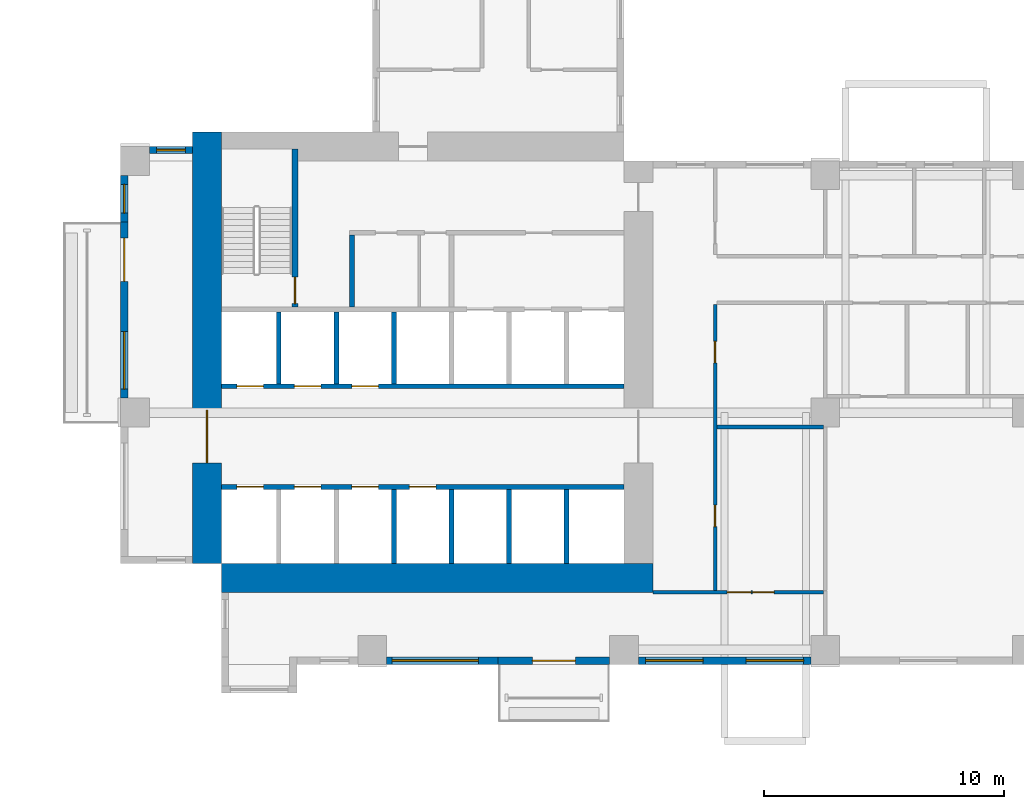
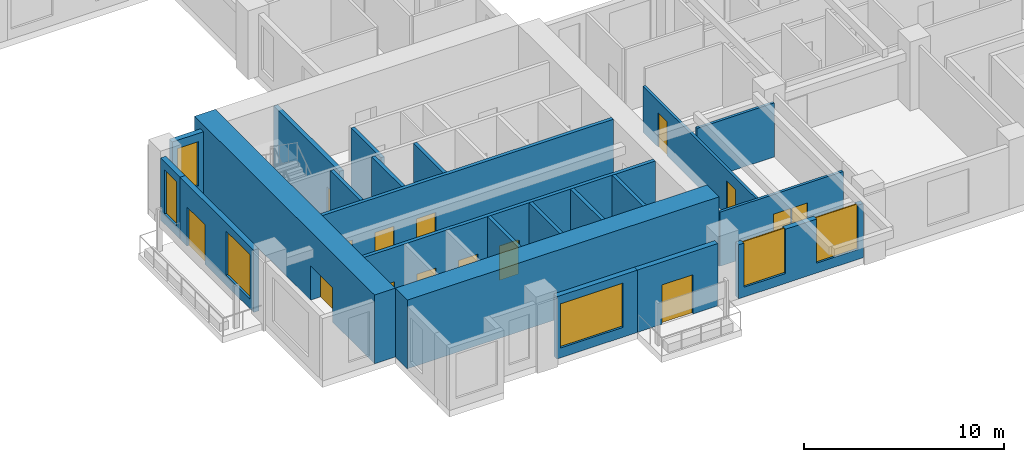
# One storey, part 2 of 15: 22 walls, 15 doors, 6 windows, 21 openings.
"""IFC4 building model written with IfcOpenShell, lengths in metres."""

import ifcopenshell
import ifcopenshell.guid

model = None  # the IFC model being written
_history = None  # IfcOwnerHistory: only IFC2X3 demands one
_inside = {}  # id of a spatial element -> (the spatial element, [elements in it])
_under = {}  # id of a project, library or spatial element -> (it, [spatial elements below it])
_declared = {}  # id of a project -> (the project, [libraries it declares])
_typed = {}  # id of a type object -> (the type object, [elements of that type])
_made_of = {}  # id of a material, layer set ... -> (it, [elements and type objects made of it])


def new_model(schema):
    """Start an empty IFC model of exactly this schema.

    Asked for "IFC4X3", IfcOpenShell would pick the latest addendum, in which some entities
    have other attributes; the version numbers below select the first issue.
    IFC2X3 requires an IfcOwnerHistory on every rooted entity: one is made here for all.
    """
    global model, _history
    if schema == "IFC4X3":
        model = ifcopenshell.file(schema_version=(4, 3, 0, 0))
    else:
        model = ifcopenshell.file(schema=schema)
    _inside.clear()
    _under.clear()
    _declared.clear()
    _typed.clear()
    _made_of.clear()
    _history = None
    if model.schema == "IFC2X3":
        org = make("IfcOrganization", Name="unknown")
        user = make(
            "IfcPersonAndOrganization",
            ThePerson=make("IfcPerson", FamilyName="unknown"),
            TheOrganization=org,
        )
        app = make(
            "IfcApplication",
            ApplicationDeveloper=org,
            Version="unknown",
            ApplicationFullName="unknown",
            ApplicationIdentifier="unknown",
        )
        _history = make(
            "IfcOwnerHistory",
            OwningUser=user,
            OwningApplication=app,
            ChangeAction="ADDED",
            CreationDate=0,
        )
    return model


def make(cls, **values):
    """One entity of the class cls with the attributes given. An attribute that is None is left unset."""
    return model.create_entity(
        cls, **{name: value for name, value in values.items() if value is not None}
    )


def rooted(cls, **values):
    """An entity with a GlobalId (a new one), such as an element, a storey or a relation."""
    return make(cls, GlobalId=ifcopenshell.guid.new(), OwnerHistory=_history, **values)


def si_unit(unit_type, name, prefix=None):
    """IfcSIUnit, for example si_unit("LENGTHUNIT", "METRE", prefix="MILLI")."""
    return make("IfcSIUnit", UnitType=unit_type, Prefix=prefix, Name=name)


def assignment(units):
    """IfcUnitAssignment: the units of a project."""
    return None if units is None else make("IfcUnitAssignment", Units=units)


def point(xyz):
    """IfcCartesianPoint."""
    return None if xyz is None else make("IfcCartesianPoint", Coordinates=xyz)


def direction(xyz):
    """IfcDirection."""
    return None if xyz is None else make("IfcDirection", DirectionRatios=xyz)


def frame(location, z_axis=None, x_axis=None):
    """IfcAxis2Placement3D, a coordinate frame: its origin and axes. An axis left out is left unset."""
    return make(
        "IfcAxis2Placement3D",
        Location=point(location),
        Axis=direction(z_axis),
        RefDirection=direction(x_axis),
    )


def frame_2d(location, x_axis=None):
    """IfcAxis2Placement2D, a coordinate frame in the plane: its origin and x axis."""
    return make(
        "IfcAxis2Placement2D", Location=point(location), RefDirection=direction(x_axis)
    )


def origin():
    """The frame at (0, 0, 0) with its axes left unset."""
    return frame((0.0, 0.0, 0.0))


def place(relative_to, where):
    """IfcLocalPlacement: puts the frame where relative to a parent placement (None: the world)."""
    return make(
        "IfcLocalPlacement", PlacementRelTo=relative_to, RelativePlacement=where
    )


def context(
    kind, dimensions, precision=None, world=None, true_north=None, identifier=None
):
    """IfcGeometricRepresentationContext, for example the 3D "Model" context."""
    return make(
        "IfcGeometricRepresentationContext",
        ContextIdentifier=identifier,
        ContextType=kind,
        CoordinateSpaceDimension=dimensions,
        Precision=precision,
        WorldCoordinateSystem=world,
        TrueNorth=true_north,
    )


def subcontext(parent, identifier, kind, view, scale=None):
    """IfcGeometricRepresentationSubContext, for example "Body" below "Model"."""
    return make(
        "IfcGeometricRepresentationSubContext",
        ContextIdentifier=identifier,
        ContextType=kind,
        ParentContext=parent,
        TargetScale=scale,
        TargetView=view,
    )


def project(units=None, contexts=None):
    """IfcProject with its units and contexts."""
    return rooted(
        "IfcProject",
        Name="project",
        RepresentationContexts=contexts,
        UnitsInContext=assignment(units),
    )


def spatial(cls, under=None, at=None, **own):
    """A site, building, storey or space (cls), placed at a placement, below another one or the project."""
    s = rooted(cls, ObjectPlacement=at, **own)
    if under is not None:
        _under.setdefault(under.id(), (under, []))[1].append(s)
    return s


def profile(cls, at=None, kind="AREA", **sizes):
    """A parametric profile (cls). Its sizes go by their IFC names, for example OverallWidth=200.0."""
    return make(cls, ProfileType=kind, Position=at, **sizes)


def rectangle(**sizes):
    """IfcRectangleProfileDef."""
    return profile("IfcRectangleProfileDef", **sizes)


def extrude(swept, where, along, depth):
    """IfcExtrudedAreaSolid: the profile swept, set in the frame where, extruded along a direction by depth."""
    return make(
        "IfcExtrudedAreaSolid",
        SweptArea=swept,
        Position=where,
        ExtrudedDirection=direction(along),
        Depth=depth,
    )


def shape(context_of_items, identifier, shape_type, items):
    """IfcShapeRepresentation: the items that make up one representation, for example the "Body"."""
    return make(
        "IfcShapeRepresentation",
        ContextOfItems=context_of_items,
        RepresentationIdentifier=identifier,
        RepresentationType=shape_type,
        Items=items,
    )


def source(mapping_origin, context_of_items, identifier, shape_type, items):
    """IfcRepresentationMap: a shape defined once, which mapped items show again and again."""
    return make(
        "IfcRepresentationMap",
        MappingOrigin=mapping_origin,
        MappedRepresentation=shape(context_of_items, identifier, shape_type, items),
    )


def transform(
    local_origin,
    x_axis=None,
    y_axis=None,
    z_axis=None,
    scale=None,
    scale2=None,
    scale3=None,
    uniform=True,
):
    """IfcCartesianTransformationOperator3D, or its non-uniform kind. x_axis, y_axis, z_axis: its Axis1, 2, 3."""
    if uniform:
        return make(
            "IfcCartesianTransformationOperator3D",
            Axis1=direction(x_axis),
            Axis2=direction(y_axis),
            LocalOrigin=point(local_origin),
            Scale=scale,
            Axis3=direction(z_axis),
        )
    return make(
        "IfcCartesianTransformationOperator3DnonUniform",
        Axis1=direction(x_axis),
        Axis2=direction(y_axis),
        LocalOrigin=point(local_origin),
        Scale=scale,
        Axis3=direction(z_axis),
        Scale2=scale2,
        Scale3=scale3,
    )


def mapped(mapping_source, mapping_target):
    """IfcMappedItem: shows the shape of a source again, moved by a transform."""
    return make(
        "IfcMappedItem", MappingSource=mapping_source, MappingTarget=mapping_target
    )


def material(Name=None, Category=None):
    """IfcMaterial."""
    return make("IfcMaterial", Name=Name, Category=Category)


def layer(
    of_material, thickness, ventilated=None, Name=None, Category=None, Priority=None
):
    """IfcMaterialLayer: one layer of a wall or slab, of a material (None: an air gap)."""
    return make(
        "IfcMaterialLayer",
        Material=of_material,
        LayerThickness=thickness,
        IsVentilated=ventilated,
        Name=Name,
        Category=Category,
        Priority=Priority,
    )


def layer_set(layers, Name=None):
    """IfcMaterialLayerSet."""
    return make("IfcMaterialLayerSet", MaterialLayers=layers, LayerSetName=Name)


def made_of(thing, what):
    """Note that an element or type object is made of a material, layer set ...; save() writes the relation."""
    if what is not None:
        _made_of.setdefault(what.id(), (what, []))[1].append(thing)
    return thing


def type_object(cls, material=None, **own):
    """A type object (cls), such as IfcWallType, which elements share."""
    return made_of(rooted(cls, **own), material)


def element(
    cls,
    number,
    at=None,
    inside=None,
    cuts=None,
    type_object=None,
    material=None,
    context=None,
    identifier="Body",
    shape_type=None,
    held_by="IfcProductDefinitionShape",
    body=None,
    shapes=None,
    **own,
):
    """One element of the class cls, such as IfcWall. Its Tag is "e" and its number.

    at: its placement. inside: the storey or other place that contains it. cuts: it is an
    opening in that element (IfcRelVoidsElement). A single representation is given by context,
    identifier, shape_type and body (its items); several are given by shapes. held_by: the class
    of the entity that holds the representations. save() writes the other relations.
    """
    e = rooted(cls, Tag="e%d" % number, ObjectPlacement=at, **own)
    if body is not None:
        shapes = [shape(context, identifier, shape_type, body)]
    if shapes is not None:
        e.Representation = make(held_by, Representations=shapes)
    if inside is not None:
        _inside.setdefault(inside.id(), (inside, []))[1].append(e)
    if cuts is not None:
        rooted(
            "IfcRelVoidsElement", RelatingBuildingElement=cuts, RelatedOpeningElement=e
        )
    if type_object is not None:
        _typed.setdefault(type_object.id(), (type_object, []))[1].append(e)
    return made_of(e, material)


def fill(opening, filler):
    """IfcRelFillsElement: the door or window that sits in an opening."""
    return rooted(
        "IfcRelFillsElement",
        RelatingOpeningElement=opening,
        RelatedBuildingElement=filler,
    )


def aggregate(whole, parts):
    """IfcRelAggregates: a whole, such as a stair, and the parts it consists of."""
    return rooted("IfcRelAggregates", RelatingObject=whole, RelatedObjects=parts)


def save(model, path):
    """Write the relations noted so far, then the file.

    IfcRelAggregates (storeys below a building ...), IfcRelContainedInSpatialStructure (elements
    in a storey), IfcRelDefinesByType, IfcRelAssociatesMaterial and IfcRelDeclares: one each for
    every whole, place, type object, material and project.
    """
    for whole, parts in _under.values():
        aggregate(whole, parts)
    for where, things in _inside.values():
        rooted(
            "IfcRelContainedInSpatialStructure",
            RelatedElements=things,
            RelatingStructure=where,
        )
    for kind, things in _typed.values():
        rooted("IfcRelDefinesByType", RelatedObjects=things, RelatingType=kind)
    for what, things in _made_of.values():
        rooted("IfcRelAssociatesMaterial", RelatedObjects=things, RelatingMaterial=what)
    for by, libraries in _declared.values():
        rooted("IfcRelDeclares", RelatingContext=by, RelatedDefinitions=libraries)
    model.write(path)


model = new_model("IFC4")

# Units and contexts
model_context = context("Model", 3, precision=1e-05, world=origin(), true_north=direction((0.0, 1.0)))
body_context = subcontext(model_context, "Body", "Model", "MODEL_VIEW")
ifc_project = project(units=[si_unit("LENGTHUNIT", "METRE"), si_unit("AREAUNIT", "SQUARE_METRE"), si_unit("VOLUMEUNIT", "CUBIC_METRE"), si_unit("PLANEANGLEUNIT", "RADIAN"), si_unit("MASSUNIT", "GRAM", prefix="KILO")], contexts=[model_context])

# Site, building, storey
site_placement = place(None, origin())
site = spatial("IfcSite", under=ifc_project, at=site_placement, CompositionType="ELEMENT")
building_placement = place(site_placement, origin())
building = spatial("IfcBuilding", under=site, at=building_placement, Name="Aurelian Terraces", CompositionType="ELEMENT")
storey_placement = place(building_placement, frame((0.0, 0.0, 74.1)))
storey = spatial("IfcBuildingStorey", under=building, at=storey_placement, Name="L15", CompositionType="ELEMENT", Elevation=74.1)

# Wall
ifc_material_1 = material(Name="Gypsum board on steel studs", Category="steel")
ifc_layer_1 = layer(ifc_material_1, 0.15)
ifc_layer_set_1 = layer_set([ifc_layer_1], Name="Partition 150")
wall_type_1 = type_object("IfcWallType", Name="Partition 150", PredefinedType="PARTITIONING", material=ifc_layer_set_1)
wall_1_placement = place(storey_placement, frame((29.325, 9.9, 0.0), z_axis=(0.0, 0.0, 1.0), x_axis=(-1.0, 0.0, 0.0)))
element("IfcWall", 1, at=wall_1_placement, inside=storey, type_object=wall_type_1, Name="Partition", PredefinedType="PARTITIONING", context=body_context, shape_type="SweptSolid", body=[
    extrude(rectangle(XDim=4.45, YDim=0.15, at=frame_2d((2.225, 0.0))), origin(), (0.0, 0.0, 1.0), 3.3),
])

# Wall, opening, door
ifc_material_2 = material(Name="Concrete fc' 83 MPa", Category="concrete")
ifc_layer_2 = layer(ifc_material_2, 1.2)
ifc_layer_set_2 = layer_set([ifc_layer_2], Name="CORE WALL 1200 FC83")
wall_type_2 = type_object("IfcWallType", Name="CORE WALL 1200 FC83", PredefinedType="SHEAR", material=ifc_layer_set_2)
shared_shape_1 = source(origin(), body_context, "Body", "SweptSolid", [
    extrude(rectangle(XDim=18.0, YDim=1.2, at=frame_2d((9.0, 0.0))), origin(), (0.0, 0.0, 1.0), 4.2),
])
wall_2_placement = place(storey_placement, frame((3.6, 4.2, 0.0), z_axis=(0.0, 0.0, 1.0), x_axis=(0.0, 1.0, 0.0)))
wall_2 = element("IfcWall", 2, at=wall_2_placement, inside=storey, type_object=wall_type_2, Name="Core wall W L15", PredefinedType="SHEAR", context=body_context, shape_type="MappedRepresentation", body=[
    mapped(shared_shape_1, transform((0.0, 0.0, 0.0), scale=1.0)),
])
shared_shape_2 = source(origin(), body_context, "Body", "SweptSolid", [
    extrude(rectangle(XDim=2.2, YDim=2.1, at=frame_2d((1.1, 1.05))), frame((0.0, 0.61, 0.0), z_axis=(0.0, -1.0, 0.0), x_axis=(1.0, 0.0, 0.0)), (0.0, 0.0, 1.0), 1.22),
])
opening_1_placement = place(wall_2_placement, frame((4.2, 0.0, 0.0)))
opening_1 = element("IfcOpeningElement", 3, at=opening_1_placement, cuts=wall_2, Name="Opening 61821", PredefinedType="OPENING", context=body_context, shape_type="MappedRepresentation", body=[
    mapped(shared_shape_2, transform((0.0, 0.0, 0.0), scale=1.0)),
])
ifc_material_3 = material(Name="Steel door leaf", Category="steel")
door_type_1 = type_object("IfcDoorType", Name="Core double door 2200x2100", OperationType="DOUBLE_DOOR_SINGLE_SWING", PredefinedType="DOOR", material=ifc_material_3)
shared_shape_3 = source(origin(), body_context, "Body", "SweptSolid", [
    extrude(rectangle(XDim=2.2, YDim=2.1, at=frame_2d((1.1, 1.05))), frame((0.0, 0.025, 0.0), z_axis=(0.0, -1.0, 0.0), x_axis=(1.0, 0.0, 0.0)), (0.0, 0.0, 1.0), 0.05),
])
door_1_placement = place(opening_1_placement, origin())
door_1 = element("IfcDoor", 4, at=door_1_placement, inside=storey, type_object=door_type_1, Name="Core door 61821", OperationType="DOUBLE_DOOR_SINGLE_SWING", OverallHeight=2.1, OverallWidth=2.2, PredefinedType="DOOR", context=body_context, shape_type="MappedRepresentation", body=[
    mapped(shared_shape_3, transform((0.0, 0.0, 0.0), scale=1.0)),
])
fill(opening_1, door_1)

# Wall
wall_3_placement = place(storey_placement, frame((4.2, 3.6, 0.0), z_axis=(0.0, 0.0, 1.0), x_axis=(1.0, 0.0, 0.0)))
element("IfcWall", 5, at=wall_3_placement, inside=storey, type_object=wall_type_2, Name="Core wall S L15", PredefinedType="SHEAR", context=body_context, shape_type="MappedRepresentation", body=[
    mapped(shared_shape_1, transform((0.0, 0.0, 0.0), scale=1.0)),
])

# Wall, opening, window
ifc_material_4 = material(Name="Terracotta rainscreen cladding", Category="masonry")
ifc_layer_3 = layer(ifc_material_4, 0.3)
ifc_layer_set_3 = layer_set([ifc_layer_3], Name="EW-300")
wall_type_3 = type_object("IfcWallType", Name="EW-300", PredefinedType="STANDARD", material=ifc_layer_set_3)
shared_shape_4 = source(origin(), body_context, "Body", "SweptSolid", [
    extrude(rectangle(XDim=4.65, YDim=0.3, at=frame_2d((2.325, 0.0))), origin(), (0.0, 0.0, 1.0), 3.8),
])
wall_4_placement = place(storey_placement, frame((11.1, 0.15, 0.0), z_axis=(0.0, 0.0, 1.0), x_axis=(1.0, 0.0, 0.0)))
wall_4 = element("IfcWall", 6, at=wall_4_placement, inside=storey, type_object=wall_type_3, Name="External wall L15 F01.3", PredefinedType="STANDARD", context=body_context, shape_type="MappedRepresentation", body=[
    mapped(shared_shape_4, transform((0.0, 0.0, 0.0), scale=1.0)),
])
shared_shape_5 = source(origin(), body_context, "Body", "SweptSolid", [
    extrude(rectangle(XDim=3.6, YDim=2.7, at=frame_2d((1.8, 1.35))), frame((0.0, 0.16, 0.0), z_axis=(0.0, -1.0, 0.0), x_axis=(1.0, 0.0, 0.0)), (0.0, 0.0, 1.0), 0.32),
])
opening_2_placement = place(wall_4_placement, frame((0.225, 0.0, 0.6)))
opening_2 = element("IfcOpeningElement", 7, at=opening_2_placement, cuts=wall_4, Name="Opening W3627", PredefinedType="OPENING", context=body_context, shape_type="MappedRepresentation", body=[
    mapped(shared_shape_5, transform((0.0, 0.0, 0.0), scale=1.0)),
])
ifc_material_5 = material(Name="Clear glazing", Category="glass")
window_type_1 = type_object("IfcWindowType", Name="W-3600x2700", PartitioningType="SINGLE_PANEL", PredefinedType="WINDOW", material=ifc_material_5)
shared_shape_6 = source(origin(), body_context, "Body", "SweptSolid", [
    extrude(rectangle(XDim=3.6, YDim=2.7, at=frame_2d((1.8, 1.35))), frame((0.0, 0.03, 0.0), z_axis=(0.0, -1.0, 0.0), x_axis=(1.0, 0.0, 0.0)), (0.0, 0.0, 1.0), 0.06),
])
window_1_placement = place(opening_2_placement, origin())
window_1 = element("IfcWindow", 8, at=window_1_placement, inside=storey, type_object=window_type_1, Name="Window L15 L15-F01-03-0", OverallHeight=2.7, OverallWidth=3.6, PartitioningType="SINGLE_PANEL", PredefinedType="WINDOW", context=body_context, shape_type="MappedRepresentation", body=[
    mapped(shared_shape_6, transform((0.0, 0.0, 0.0), scale=1.0)),
])
fill(opening_2, window_1)

# Wall, opening, door
wall_5_placement = place(storey_placement, frame((15.75, 0.15, 0.0), z_axis=(0.0, 0.0, 1.0), x_axis=(1.0, 0.0, 0.0)))
wall_5 = element("IfcWall", 9, at=wall_5_placement, inside=storey, type_object=wall_type_3, Name="External wall L15 F01.4", PredefinedType="STANDARD", context=body_context, shape_type="MappedRepresentation", body=[
    mapped(shared_shape_4, transform((0.0, 0.0, 0.0), scale=1.0)),
])
shared_shape_7 = source(origin(), body_context, "Body", "SweptSolid", [
    extrude(rectangle(XDim=1.8, YDim=2.4, at=frame_2d((0.9, 1.2))), frame((0.0, 0.16, 0.0), z_axis=(0.0, -1.0, 0.0), x_axis=(1.0, 0.0, 0.0)), (0.0, 0.0, 1.0), 0.32),
])
opening_3_placement = place(wall_5_placement, frame((1.425, 0.0, 0.0)))
opening_3 = element("IfcOpeningElement", 10, at=opening_3_placement, cuts=wall_5, Name="Opening 81501", PredefinedType="OPENING", context=body_context, shape_type="MappedRepresentation", body=[
    mapped(shared_shape_7, transform((0.0, 0.0, 0.0), scale=1.0)),
])
door_type_2 = type_object("IfcDoorType", Name="BD-1800x2400", OperationType="SLIDING_TO_LEFT", PredefinedType="DOOR", material=ifc_material_5)
shared_shape_8 = source(origin(), body_context, "Body", "SweptSolid", [
    extrude(rectangle(XDim=1.8, YDim=2.4, at=frame_2d((0.9, 1.2))), frame((0.0, 0.025, 0.0), z_axis=(0.0, -1.0, 0.0), x_axis=(1.0, 0.0, 0.0)), (0.0, 0.0, 1.0), 0.05),
])
door_2_placement = place(opening_3_placement, origin())
door_2 = element("IfcDoor", 11, at=door_2_placement, inside=storey, type_object=door_type_2, Name="Balcony door L15 F01.4", OperationType="SLIDING_TO_LEFT", OverallHeight=2.4, OverallWidth=1.8, PredefinedType="DOOR", context=body_context, shape_type="MappedRepresentation", body=[
    mapped(shared_shape_8, transform((0.0, 0.0, 0.0), scale=1.0)),
])
fill(opening_3, door_2)

# Wall, opening, window
shared_shape_9 = source(origin(), body_context, "Body", "SweptSolid", [
    extrude(rectangle(XDim=1.8, YDim=0.3, at=frame_2d((0.9, 0.0))), origin(), (0.0, 0.0, 1.0), 3.8),
])
wall_6_placement = place(storey_placement, frame((3.0, 21.45, 0.0), z_axis=(0.0, 0.0, 1.0), x_axis=(-1.0, 0.0, 0.0)))
wall_6 = element("IfcWall", 12, at=wall_6_placement, inside=storey, type_object=wall_type_3, Name="External wall L15 F17.37", PredefinedType="STANDARD", context=body_context, shape_type="MappedRepresentation", body=[
    mapped(shared_shape_9, transform((0.0, 0.0, 0.0), scale=1.0)),
])
shared_shape_10 = source(origin(), body_context, "Body", "SweptSolid", [
    extrude(rectangle(XDim=1.2, YDim=2.7, at=frame_2d((0.6, 1.35))), frame((0.0, 0.16, 0.0), z_axis=(0.0, -1.0, 0.0), x_axis=(1.0, 0.0, 0.0)), (0.0, 0.0, 1.0), 0.32),
])
opening_4_placement = place(wall_6_placement, frame((0.3, 0.0, 0.6)))
opening_4 = element("IfcOpeningElement", 13, at=opening_4_placement, cuts=wall_6, Name="Opening W1227", PredefinedType="OPENING", context=body_context, shape_type="MappedRepresentation", body=[
    mapped(shared_shape_10, transform((0.0, 0.0, 0.0), scale=1.0)),
])
window_type_2 = type_object("IfcWindowType", Name="W-1200x2700", PartitioningType="SINGLE_PANEL", PredefinedType="WINDOW", material=ifc_material_5)
shared_shape_11 = source(origin(), body_context, "Body", "SweptSolid", [
    extrude(rectangle(XDim=1.2, YDim=2.7, at=frame_2d((0.6, 1.35))), frame((0.0, 0.03, 0.0), z_axis=(0.0, -1.0, 0.0), x_axis=(1.0, 0.0, 0.0)), (0.0, 0.0, 1.0), 0.06),
])
window_2_placement = place(opening_4_placement, origin())
window_2 = element("IfcWindow", 14, at=window_2_placement, inside=storey, type_object=window_type_2, Name="Window L15 L15-F17-37-P0", OverallHeight=2.7, OverallWidth=1.2, PartitioningType="SINGLE_PANEL", PredefinedType="WINDOW", context=body_context, shape_type="MappedRepresentation", body=[
    mapped(shared_shape_11, transform((0.0, 0.0, 0.0), scale=1.0)),
])
fill(opening_4, window_2)

# Wall, openings, windows
shared_shape_12 = source(origin(), body_context, "Body", "SweptSolid", [
    extrude(rectangle(XDim=7.2, YDim=0.3, at=frame_2d((3.6, 0.0))), origin(), (0.0, 0.0, 1.0), 3.3),
])
wall_7_placement = place(storey_placement, frame((21.6, 0.15, 0.0), z_axis=(0.0, 0.0, 1.0), x_axis=(1.0, 0.0, 0.0)))
wall_7 = element("IfcWall", 15, at=wall_7_placement, inside=storey, type_object=wall_type_3, Name="External wall L15 F01.5", PredefinedType="STANDARD", context=body_context, shape_type="MappedRepresentation", body=[
    mapped(shared_shape_12, transform((0.0, 0.0, 0.0), scale=1.0)),
])
shared_shape_13 = source(origin(), body_context, "Body", "SweptSolid", [
    extrude(rectangle(XDim=2.4, YDim=2.7, at=frame_2d((1.2, 1.35))), frame((0.0, 0.16, 0.0), z_axis=(0.0, -1.0, 0.0), x_axis=(1.0, 0.0, 0.0)), (0.0, 0.0, 1.0), 0.32),
])
opening_5_placement = place(wall_7_placement, frame((0.3, 0.0, 0.6)))
opening_5 = element("IfcOpeningElement", 16, at=opening_5_placement, cuts=wall_7, Name="Opening W2427", PredefinedType="OPENING", context=body_context, shape_type="MappedRepresentation", body=[
    mapped(shared_shape_13, transform((0.0, 0.0, 0.0), scale=1.0)),
])
opening_6_placement = place(wall_7_placement, frame((4.5, 0.0, 0.6)))
opening_6 = element("IfcOpeningElement", 17, at=opening_6_placement, cuts=wall_7, Name="Opening W2427", PredefinedType="OPENING", context=body_context, shape_type="MappedRepresentation", body=[
    mapped(shared_shape_13, transform((0.0, 0.0, 0.0), scale=1.0)),
])
window_type_3 = type_object("IfcWindowType", Name="W-2400x2700", PartitioningType="SINGLE_PANEL", PredefinedType="WINDOW", material=ifc_material_5)
shared_shape_14 = source(origin(), body_context, "Body", "SweptSolid", [
    extrude(rectangle(XDim=2.4, YDim=2.7, at=frame_2d((1.2, 1.35))), frame((0.0, 0.03, 0.0), z_axis=(0.0, -1.0, 0.0), x_axis=(1.0, 0.0, 0.0)), (0.0, 0.0, 1.0), 0.06),
])
window_3_placement = place(opening_5_placement, origin())
window_3 = element("IfcWindow", 18, at=window_3_placement, inside=storey, type_object=window_type_3, Name="Window L15 L15-F01-05-0", OverallHeight=2.7, OverallWidth=2.4, PartitioningType="SINGLE_PANEL", PredefinedType="WINDOW", context=body_context, shape_type="MappedRepresentation", body=[
    mapped(shared_shape_14, transform((0.0, 0.0, 0.0), scale=1.0)),
])
fill(opening_5, window_3)
window_4_placement = place(opening_6_placement, origin())
window_4 = element("IfcWindow", 19, at=window_4_placement, inside=storey, type_object=window_type_3, Name="Window L15 L15-F01-05-1", OverallHeight=2.7, OverallWidth=2.4, PartitioningType="SINGLE_PANEL", PredefinedType="WINDOW", context=body_context, shape_type="MappedRepresentation", body=[
    mapped(shared_shape_14, transform((0.0, 0.0, 0.0), scale=1.0)),
])
fill(opening_6, window_4)

# Wall, opening, window
shared_shape_15 = source(origin(), body_context, "Body", "SweptSolid", [
    extrude(rectangle(XDim=1.95, YDim=0.3, at=frame_2d((0.975, 0.0))), origin(), (0.0, 0.0, 1.0), 3.8),
])
wall_8_placement = place(storey_placement, frame((0.15, 20.4, 0.0), z_axis=(0.0, 0.0, 1.0), x_axis=(0.0, -1.0, 0.0)))
wall_8 = element("IfcWall", 20, at=wall_8_placement, inside=storey, type_object=wall_type_3, Name="External wall L15 F18.38", PredefinedType="STANDARD", context=body_context, shape_type="MappedRepresentation", body=[
    mapped(shared_shape_15, transform((0.0, 0.0, 0.0), scale=1.0)),
])
opening_7_placement = place(wall_8_placement, frame((0.375, 0.0, 0.6)))
opening_7 = element("IfcOpeningElement", 21, at=opening_7_placement, cuts=wall_8, Name="Opening W1227", PredefinedType="OPENING", context=body_context, shape_type="MappedRepresentation", body=[
    mapped(shared_shape_10, transform((0.0, 0.0, 0.0), scale=1.0)),
])
window_5_placement = place(opening_7_placement, origin())
window_5 = element("IfcWindow", 22, at=window_5_placement, inside=storey, type_object=window_type_2, Name="Window L15 L15-F18-38-P0", OverallHeight=2.7, OverallWidth=1.2, PartitioningType="SINGLE_PANEL", PredefinedType="WINDOW", context=body_context, shape_type="MappedRepresentation", body=[
    mapped(shared_shape_11, transform((0.0, 0.0, 0.0), scale=1.0)),
])
fill(opening_7, window_5)

# Wall, openings, door, window
shared_shape_16 = source(origin(), body_context, "Body", "SweptSolid", [
    extrude(rectangle(XDim=7.35, YDim=0.3, at=frame_2d((3.675, 0.0))), origin(), (0.0, 0.0, 1.0), 3.8),
])
wall_9_placement = place(storey_placement, frame((0.15, 18.45, 0.0), z_axis=(0.0, 0.0, 1.0), x_axis=(0.0, -1.0, 0.0)))
wall_9 = element("IfcWall", 23, at=wall_9_placement, inside=storey, type_object=wall_type_3, Name="External wall L15 F18.39", PredefinedType="STANDARD", context=body_context, shape_type="MappedRepresentation", body=[
    mapped(shared_shape_16, transform((0.0, 0.0, 0.0), scale=1.0)),
])
opening_8_placement = place(wall_9_placement, frame((0.675, 0.0, 0.0)))
opening_8 = element("IfcOpeningElement", 24, at=opening_8_placement, cuts=wall_9, Name="Opening 81502", PredefinedType="OPENING", context=body_context, shape_type="MappedRepresentation", body=[
    mapped(shared_shape_7, transform((0.0, 0.0, 0.0), scale=1.0)),
])
opening_9_placement = place(wall_9_placement, frame((4.575, 0.0, 0.6)))
opening_9 = element("IfcOpeningElement", 25, at=opening_9_placement, cuts=wall_9, Name="Opening W2427", PredefinedType="OPENING", context=body_context, shape_type="MappedRepresentation", body=[
    mapped(shared_shape_13, transform((0.0, 0.0, 0.0), scale=1.0)),
])
door_3_placement = place(opening_8_placement, origin())
door_3 = element("IfcDoor", 26, at=door_3_placement, inside=storey, type_object=door_type_2, Name="Balcony door L15 F18.39", OperationType="SLIDING_TO_LEFT", OverallHeight=2.4, OverallWidth=1.8, PredefinedType="DOOR", context=body_context, shape_type="MappedRepresentation", body=[
    mapped(shared_shape_8, transform((0.0, 0.0, 0.0), scale=1.0)),
])
fill(opening_8, door_3)
window_6_placement = place(opening_9_placement, origin())
window_6 = element("IfcWindow", 27, at=window_6_placement, inside=storey, type_object=window_type_3, Name="Window L15 L15-F18-39-1", OverallHeight=2.7, OverallWidth=2.4, PartitioningType="SINGLE_PANEL", PredefinedType="WINDOW", context=body_context, shape_type="MappedRepresentation", body=[
    mapped(shared_shape_14, transform((0.0, 0.0, 0.0), scale=1.0)),
])
fill(opening_9, window_6)

# Walls
ifc_material_6 = material(Name="Concrete fc' 40 MPa", Category="concrete")
ifc_layer_4 = layer(ifc_material_6, 0.2)
ifc_layer_set_4 = layer_set([ifc_layer_4], Name="Lift shaft wall 200")
wall_type_4 = type_object("IfcWallType", Name="Lift shaft wall 200", PredefinedType="SOLIDWALL", material=ifc_layer_set_4)
shared_shape_17 = source(origin(), body_context, "Body", "SweptSolid", [
    extrude(rectangle(XDim=3.1, YDim=0.2, at=frame_2d((1.55, 0.0))), origin(), (0.0, 0.0, 1.0), 4.2),
])
for number, where, z_axis, x_axis, name in (
    (28, (11.4, 4.2, 0.0), (0.0, 0.0, 1.0), (0.0, 1.0, 0.0), "L15 core wall CD-A3"),
    (29, (13.8, 4.2, 0.0), (0.0, 0.0, 1.0), (0.0, 1.0, 0.0), "L15 core wall CD-A4"),
    (30, (16.2, 4.2, 0.0), (0.0, 0.0, 1.0), (0.0, 1.0, 0.0), "L15 core wall CD-A5"),
    (31, (18.6, 4.2, 0.0), (0.0, 0.0, 1.0), (0.0, 1.0, 0.0), "L15 core wall CD-A6"),
):
    element("IfcWall", number, at=place(storey_placement, frame(where, z_axis=z_axis, x_axis=x_axis)), inside=storey, type_object=wall_type_4, Name=name, PredefinedType="SOLIDWALL", context=body_context, shape_type="MappedRepresentation", body=[
        mapped(shared_shape_17, transform((0.0, 0.0, 0.0), scale=1.0)),
    ])
shared_shape_18 = source(origin(), body_context, "Body", "SweptSolid", [
    extrude(rectangle(XDim=3.0, YDim=0.2, at=frame_2d((1.5, 0.0))), origin(), (0.0, 0.0, 1.0), 4.2),
])
for number, where, z_axis, x_axis, name in (
    (32, (6.6, 11.7, 0.0), (0.0, 0.0, 1.0), (0.0, 1.0, 0.0), "L15 core wall CD-B1"),
    (33, (9.0, 11.7, 0.0), (0.0, 0.0, 1.0), (0.0, 1.0, 0.0), "L15 core wall CD-B2"),
    (34, (11.4, 11.7, 0.0), (0.0, 0.0, 1.0), (0.0, 1.0, 0.0), "L15 core wall CD-B3"),
):
    element("IfcWall", number, at=place(storey_placement, frame(where, z_axis=z_axis, x_axis=x_axis)), inside=storey, type_object=wall_type_4, Name=name, PredefinedType="SOLIDWALL", context=body_context, shape_type="MappedRepresentation", body=[
        mapped(shared_shape_18, transform((0.0, 0.0, 0.0), scale=1.0)),
    ])

# Wall, openings, doors
shared_shape_19 = source(origin(), body_context, "Body", "SweptSolid", [
    extrude(rectangle(XDim=16.8, YDim=0.2, at=frame_2d((8.4, 0.0))), origin(), (0.0, 0.0, 1.0), 4.2),
])
wall_10_placement = place(storey_placement, frame((4.2, 7.4, 0.0), z_axis=(0.0, 0.0, 1.0), x_axis=(1.0, 0.0, 0.0)))
wall_10 = element("IfcWall", 35, at=wall_10_placement, inside=storey, type_object=wall_type_4, Name="L15 core wall CF-AF1", PredefinedType="SOLIDWALL", context=body_context, shape_type="MappedRepresentation", body=[
    mapped(shared_shape_19, transform((0.0, 0.0, 0.0), scale=1.0)),
])
shared_shape_20 = source(origin(), body_context, "Body", "SweptSolid", [
    extrude(rectangle(XDim=1.1, YDim=2.1, at=frame_2d((0.55, 1.05))), frame((0.0, 0.11, 0.0), z_axis=(0.0, -1.0, 0.0), x_axis=(1.0, 0.0, 0.0)), (0.0, 0.0, 1.0), 0.22),
])
opening_10_placement = place(wall_10_placement, frame((0.65, 0.0, 0.0)))
opening_10 = element("IfcOpeningElement", 36, at=opening_10_placement, cuts=wall_10, Name="Opening 61800", PredefinedType="OPENING", context=body_context, shape_type="MappedRepresentation", body=[
    mapped(shared_shape_20, transform((0.0, 0.0, 0.0), scale=1.0)),
])
opening_11_placement = place(wall_10_placement, frame((3.05, 0.0, 0.0)))
opening_11 = element("IfcOpeningElement", 37, at=opening_11_placement, cuts=wall_10, Name="Opening 61801", PredefinedType="OPENING", context=body_context, shape_type="MappedRepresentation", body=[
    mapped(shared_shape_20, transform((0.0, 0.0, 0.0), scale=1.0)),
])
opening_12_placement = place(wall_10_placement, frame((5.45, 0.0, 0.0)))
opening_12 = element("IfcOpeningElement", 38, at=opening_12_placement, cuts=wall_10, Name="Opening 61802", PredefinedType="OPENING", context=body_context, shape_type="MappedRepresentation", body=[
    mapped(shared_shape_20, transform((0.0, 0.0, 0.0), scale=1.0)),
])
opening_13_placement = place(wall_10_placement, frame((7.85, 0.0, 0.0)))
opening_13 = element("IfcOpeningElement", 39, at=opening_13_placement, cuts=wall_10, Name="Opening 61803", PredefinedType="OPENING", context=body_context, shape_type="MappedRepresentation", body=[
    mapped(shared_shape_20, transform((0.0, 0.0, 0.0), scale=1.0)),
])
ifc_material_7 = material(Name="Stainless steel", Category="steel")
door_type_3 = type_object("IfcDoorType", Name="Lift landing door 1100x2100", OperationType="SLIDING_TO_LEFT", PredefinedType="DOOR", material=ifc_material_7)
shared_shape_21 = source(origin(), body_context, "Body", "SweptSolid", [
    extrude(rectangle(XDim=1.1, YDim=2.1, at=frame_2d((0.55, 1.05))), frame((0.0, 0.025, 0.0), z_axis=(0.0, -1.0, 0.0), x_axis=(1.0, 0.0, 0.0)), (0.0, 0.0, 1.0), 0.05),
])
door_4_placement = place(opening_10_placement, origin())
door_4 = element("IfcDoor", 40, at=door_4_placement, inside=storey, type_object=door_type_3, Name="Lift landing door LL1 L15", OperationType="SLIDING_TO_LEFT", OverallHeight=2.1, OverallWidth=1.1, PredefinedType="DOOR", context=body_context, shape_type="MappedRepresentation", body=[
    mapped(shared_shape_21, transform((0.0, 0.0, 0.0), scale=1.0)),
])
fill(opening_10, door_4)
door_5_placement = place(opening_11_placement, origin())
door_5 = element("IfcDoor", 41, at=door_5_placement, inside=storey, type_object=door_type_3, Name="Lift landing door LL2 L15", OperationType="SLIDING_TO_LEFT", OverallHeight=2.1, OverallWidth=1.1, PredefinedType="DOOR", context=body_context, shape_type="MappedRepresentation", body=[
    mapped(shared_shape_21, transform((0.0, 0.0, 0.0), scale=1.0)),
])
fill(opening_11, door_5)
door_6_placement = place(opening_12_placement, origin())
door_6 = element("IfcDoor", 42, at=door_6_placement, inside=storey, type_object=door_type_3, Name="Lift landing door LL3 L15", OperationType="SLIDING_TO_LEFT", OverallHeight=2.1, OverallWidth=1.1, PredefinedType="DOOR", context=body_context, shape_type="MappedRepresentation", body=[
    mapped(shared_shape_21, transform((0.0, 0.0, 0.0), scale=1.0)),
])
fill(opening_12, door_6)
door_7_placement = place(opening_13_placement, origin())
door_7 = element("IfcDoor", 43, at=door_7_placement, inside=storey, type_object=door_type_3, Name="Lift landing door LL4 L15", OperationType="SLIDING_TO_LEFT", OverallHeight=2.1, OverallWidth=1.1, PredefinedType="DOOR", context=body_context, shape_type="MappedRepresentation", body=[
    mapped(shared_shape_21, transform((0.0, 0.0, 0.0), scale=1.0)),
])
fill(opening_13, door_7)

wall_11_placement = place(storey_placement, frame((4.2, 11.6, 0.0), z_axis=(0.0, 0.0, 1.0), x_axis=(1.0, 0.0, 0.0)))
wall_11 = element("IfcWall", 44, at=wall_11_placement, inside=storey, type_object=wall_type_4, Name="L15 core wall CF-BF1", PredefinedType="SOLIDWALL", context=body_context, shape_type="MappedRepresentation", body=[
    mapped(shared_shape_19, transform((0.0, 0.0, 0.0), scale=1.0)),
])
opening_14_placement = place(wall_11_placement, frame((0.65, 0.0, 0.0)))
opening_14 = element("IfcOpeningElement", 45, at=opening_14_placement, cuts=wall_11, Name="Opening 61804", PredefinedType="OPENING", context=body_context, shape_type="MappedRepresentation", body=[
    mapped(shared_shape_20, transform((0.0, 0.0, 0.0), scale=1.0)),
])
opening_15_placement = place(wall_11_placement, frame((3.05, 0.0, 0.0)))
opening_15 = element("IfcOpeningElement", 46, at=opening_15_placement, cuts=wall_11, Name="Opening 61805", PredefinedType="OPENING", context=body_context, shape_type="MappedRepresentation", body=[
    mapped(shared_shape_20, transform((0.0, 0.0, 0.0), scale=1.0)),
])
opening_16_placement = place(wall_11_placement, frame((5.45, 0.0, 0.0)))
opening_16 = element("IfcOpeningElement", 47, at=opening_16_placement, cuts=wall_11, Name="Opening 61806", PredefinedType="OPENING", context=body_context, shape_type="MappedRepresentation", body=[
    mapped(shared_shape_20, transform((0.0, 0.0, 0.0), scale=1.0)),
])
door_8_placement = place(opening_14_placement, origin())
door_8 = element("IfcDoor", 48, at=door_8_placement, inside=storey, type_object=door_type_3, Name="Lift landing door LL5 L15", OperationType="SLIDING_TO_LEFT", OverallHeight=2.1, OverallWidth=1.1, PredefinedType="DOOR", context=body_context, shape_type="MappedRepresentation", body=[
    mapped(shared_shape_21, transform((0.0, 0.0, 0.0), scale=1.0)),
])
fill(opening_14, door_8)
door_9_placement = place(opening_15_placement, origin())
door_9 = element("IfcDoor", 49, at=door_9_placement, inside=storey, type_object=door_type_3, Name="Lift landing door LL6 L15", OperationType="SLIDING_TO_LEFT", OverallHeight=2.1, OverallWidth=1.1, PredefinedType="DOOR", context=body_context, shape_type="MappedRepresentation", body=[
    mapped(shared_shape_21, transform((0.0, 0.0, 0.0), scale=1.0)),
])
fill(opening_15, door_9)
door_10_placement = place(opening_16_placement, origin())
door_10 = element("IfcDoor", 50, at=door_10_placement, inside=storey, type_object=door_type_3, Name="Lift landing door LL7 L15", OperationType="SLIDING_TO_LEFT", OverallHeight=2.1, OverallWidth=1.1, PredefinedType="DOOR", context=body_context, shape_type="MappedRepresentation", body=[
    mapped(shared_shape_21, transform((0.0, 0.0, 0.0), scale=1.0)),
])
fill(opening_16, door_10)

# Wall
ifc_layer_5 = layer(ifc_material_1, 0.2)
ifc_layer_set_5 = layer_set([ifc_layer_5], Name="Core partition 200")
wall_type_5 = type_object("IfcWallType", Name="Core partition 200", PredefinedType="PARTITIONING", material=ifc_layer_set_5)
shared_shape_22 = source(origin(), body_context, "Body", "SweptSolid", [
    extrude(rectangle(XDim=3.0, YDim=0.2, at=frame_2d((1.5, 0.0))), origin(), (0.0, 0.0, 1.0), 3.8),
])
wall_12_placement = place(storey_placement, frame((9.65, 14.9, 0.0), z_axis=(0.0, 0.0, 1.0), x_axis=(0.0, 1.0, 0.0)))
element("IfcWall", 51, at=wall_12_placement, inside=storey, type_object=wall_type_5, Name="L15 core wall CP-VEST", PredefinedType="PARTITIONING", context=body_context, shape_type="MappedRepresentation", body=[
    mapped(shared_shape_22, transform((0.0, 0.0, 0.0), scale=1.0)),
])

# Wall, opening, door
ifc_layer_6 = layer(ifc_material_6, 0.25)
ifc_layer_set_6 = layer_set([ifc_layer_6], Name="Stair enclosure wall 250")
wall_type_6 = type_object("IfcWallType", Name="Stair enclosure wall 250", PredefinedType="SOLIDWALL", material=ifc_layer_set_6)
shared_shape_23 = source(origin(), body_context, "Body", "SweptSolid", [
    extrude(rectangle(XDim=6.6, YDim=0.25, at=frame_2d((3.3, 0.0))), origin(), (0.0, 0.0, 1.0), 3.8),
])
wall_13_placement = place(storey_placement, frame((7.275, 14.9, 0.0), z_axis=(0.0, 0.0, 1.0), x_axis=(0.0, 1.0, 0.0)))
wall_13 = element("IfcWall", 52, at=wall_13_placement, inside=storey, type_object=wall_type_6, Name="L15 core wall ST-S1-E", PredefinedType="SOLIDWALL", context=body_context, shape_type="MappedRepresentation", body=[
    mapped(shared_shape_23, transform((0.0, 0.0, 0.0), scale=1.0)),
])
shared_shape_24 = source(origin(), body_context, "Body", "SweptSolid", [
    extrude(rectangle(XDim=1.1, YDim=2.1, at=frame_2d((0.55, 1.05))), frame((0.0, 0.135, 0.0), z_axis=(0.0, -1.0, 0.0), x_axis=(1.0, 0.0, 0.0)), (0.0, 0.0, 1.0), 0.27),
])
opening_17_placement = place(wall_13_placement, frame((0.15, 0.0, 0.0)))
opening_17 = element("IfcOpeningElement", 53, at=opening_17_placement, cuts=wall_13, Name="Opening 61810", PredefinedType="OPENING", context=body_context, shape_type="MappedRepresentation", body=[
    mapped(shared_shape_24, transform((0.0, 0.0, 0.0), scale=1.0)),
])
door_type_4 = type_object("IfcDoorType", Name="Core fire door 1100x2100", OperationType="SINGLE_SWING_LEFT", PredefinedType="DOOR", material=ifc_material_3)
door_11_placement = place(opening_17_placement, origin())
door_11 = element("IfcDoor", 54, at=door_11_placement, inside=storey, type_object=door_type_4, Name="Stair door 61810", OperationType="SINGLE_SWING_LEFT", OverallHeight=2.1, OverallWidth=1.1, PredefinedType="DOOR", context=body_context, shape_type="MappedRepresentation", body=[
    mapped(shared_shape_21, transform((0.0, 0.0, 0.0), scale=1.0)),
])
fill(opening_17, door_11)

# Wall, openings, doors
shared_shape_25 = source(origin(), body_context, "Body", "SweptSolid", [
    extrude(rectangle(XDim=11.925, YDim=0.15, at=frame_2d((5.9625, 0.0))), origin(), (0.0, 0.0, 1.0), 2.8),
])
wall_14_placement = place(storey_placement, frame((24.8, 15.0, 0.0), z_axis=(0.0, 0.0, 1.0), x_axis=(0.0, -1.0, 0.0)))
wall_14 = element("IfcWall", 55, at=wall_14_placement, inside=storey, type_object=wall_type_1, Name="Partition", PredefinedType="PARTITIONING", context=body_context, shape_type="MappedRepresentation", body=[
    mapped(shared_shape_25, transform((0.0, 0.0, 0.0), scale=1.0)),
])
shared_shape_26 = source(origin(), body_context, "Body", "SweptSolid", [
    extrude(rectangle(XDim=0.9, YDim=2.1, at=frame_2d((0.45, 1.05))), frame((0.0, 0.085, 0.0), z_axis=(0.0, -1.0, 0.0), x_axis=(1.0, 0.0, 0.0)), (0.0, 0.0, 1.0), 0.17),
])
opening_18_placement = place(wall_14_placement, frame((8.3625, 0.0, 0.0)))
opening_18 = element("IfcOpeningElement", 56, at=opening_18_placement, cuts=wall_14, Name="Opening 715001", PredefinedType="OPENING", context=body_context, shape_type="MappedRepresentation", body=[
    mapped(shared_shape_26, transform((0.0, 0.0, 0.0), scale=1.0)),
])
opening_19_placement = place(wall_14_placement, frame((1.525, 0.0, 0.0)))
opening_19 = element("IfcOpeningElement", 57, at=opening_19_placement, cuts=wall_14, Name="Opening 715002", PredefinedType="OPENING", context=body_context, shape_type="MappedRepresentation", body=[
    mapped(shared_shape_26, transform((0.0, 0.0, 0.0), scale=1.0)),
])
ifc_material_8 = material(Name="Timber door leaf", Category="wood")
door_type_5 = type_object("IfcDoorType", Name="Room door 900x2100 left", OperationType="SINGLE_SWING_LEFT", PredefinedType="DOOR", material=ifc_material_8)
shared_shape_27 = source(origin(), body_context, "Body", "SweptSolid", [
    extrude(rectangle(XDim=0.9, YDim=2.1, at=frame_2d((0.45, 1.05))), frame((0.0, 0.025, 0.0), z_axis=(0.0, -1.0, 0.0), x_axis=(1.0, 0.0, 0.0)), (0.0, 0.0, 1.0), 0.05),
])
door_12_placement = place(opening_18_placement, origin())
door_12 = element("IfcDoor", 58, at=door_12_placement, inside=storey, type_object=door_type_5, Name="Door 715001", OperationType="SINGLE_SWING_LEFT", OverallHeight=2.1, OverallWidth=0.9, PredefinedType="DOOR", context=body_context, shape_type="MappedRepresentation", body=[
    mapped(shared_shape_27, transform((0.0, 0.0, 0.0), scale=1.0)),
])
fill(opening_18, door_12)
door_type_6 = type_object("IfcDoorType", Name="Room door 900x2100 right", OperationType="SINGLE_SWING_RIGHT", PredefinedType="DOOR", material=ifc_material_8)
door_13_placement = place(opening_19_placement, origin())
door_13 = element("IfcDoor", 59, at=door_13_placement, inside=storey, type_object=door_type_6, Name="Door 715002", OperationType="SINGLE_SWING_RIGHT", OverallHeight=2.1, OverallWidth=0.9, PredefinedType="DOOR", context=body_context, shape_type="MappedRepresentation", body=[
    mapped(shared_shape_27, transform((0.0, 0.0, 0.0), scale=1.0)),
])
fill(opening_19, door_13)

shared_shape_28 = source(origin(), body_context, "Body", "SweptSolid", [
    extrude(rectangle(XDim=7.125, YDim=0.15, at=frame_2d((3.5625, 0.0))), origin(), (0.0, 0.0, 1.0), 3.3),
])
wall_15_placement = place(storey_placement, frame((22.2, 3.0, 0.0), z_axis=(0.0, 0.0, 1.0), x_axis=(1.0, 0.0, 0.0)))
wall_15 = element("IfcWall", 60, at=wall_15_placement, inside=storey, type_object=wall_type_1, Name="Partition", PredefinedType="PARTITIONING", context=body_context, shape_type="MappedRepresentation", body=[
    mapped(shared_shape_28, transform((0.0, 0.0, 0.0), scale=1.0)),
])
shared_shape_29 = source(origin(), body_context, "Body", "SweptSolid", [
    extrude(rectangle(XDim=1.0, YDim=2.1, at=frame_2d((0.5, 1.05))), frame((0.0, 0.085, 0.0), z_axis=(0.0, -1.0, 0.0), x_axis=(1.0, 0.0, 0.0)), (0.0, 0.0, 1.0), 0.17),
])
opening_20_placement = place(wall_15_placement, frame((3.1, 0.0, 0.0)))
opening_20 = element("IfcOpeningElement", 61, at=opening_20_placement, cuts=wall_15, Name="Opening 715004", PredefinedType="OPENING", context=body_context, shape_type="MappedRepresentation", body=[
    mapped(shared_shape_29, transform((0.0, 0.0, 0.0), scale=1.0)),
])
opening_21_placement = place(wall_15_placement, frame((4.162, 0.0, 0.0)))
opening_21 = element("IfcOpeningElement", 62, at=opening_21_placement, cuts=wall_15, Name="Opening 715051", PredefinedType="OPENING", context=body_context, shape_type="MappedRepresentation", body=[
    mapped(shared_shape_26, transform((0.0, 0.0, 0.0), scale=1.0)),
])
door_type_7 = type_object("IfcDoorType", Name="Room door 1000x2100 right", OperationType="SINGLE_SWING_RIGHT", PredefinedType="DOOR", material=ifc_material_8)
shared_shape_30 = source(origin(), body_context, "Body", "SweptSolid", [
    extrude(rectangle(XDim=1.0, YDim=2.1, at=frame_2d((0.5, 1.05))), frame((0.0, 0.025, 0.0), z_axis=(0.0, -1.0, 0.0), x_axis=(1.0, 0.0, 0.0)), (0.0, 0.0, 1.0), 0.05),
])
door_14_placement = place(opening_20_placement, origin())
door_14 = element("IfcDoor", 63, at=door_14_placement, inside=storey, type_object=door_type_7, Name="Door 715004", OperationType="SINGLE_SWING_RIGHT", OverallHeight=2.1, OverallWidth=1.0, PredefinedType="DOOR", context=body_context, shape_type="MappedRepresentation", body=[
    mapped(shared_shape_30, transform((0.0, 0.0, 0.0), scale=1.0)),
])
fill(opening_20, door_14)
door_15_placement = place(opening_21_placement, origin())
door_15 = element("IfcDoor", 64, at=door_15_placement, inside=storey, type_object=door_type_5, Name="Door 715051", OperationType="SINGLE_SWING_LEFT", OverallHeight=2.1, OverallWidth=0.9, PredefinedType="DOOR", context=body_context, shape_type="MappedRepresentation", body=[
    mapped(shared_shape_27, transform((0.0, 0.0, 0.0), scale=1.0)),
])
fill(opening_21, door_15)

save(model, "model.ifc")
